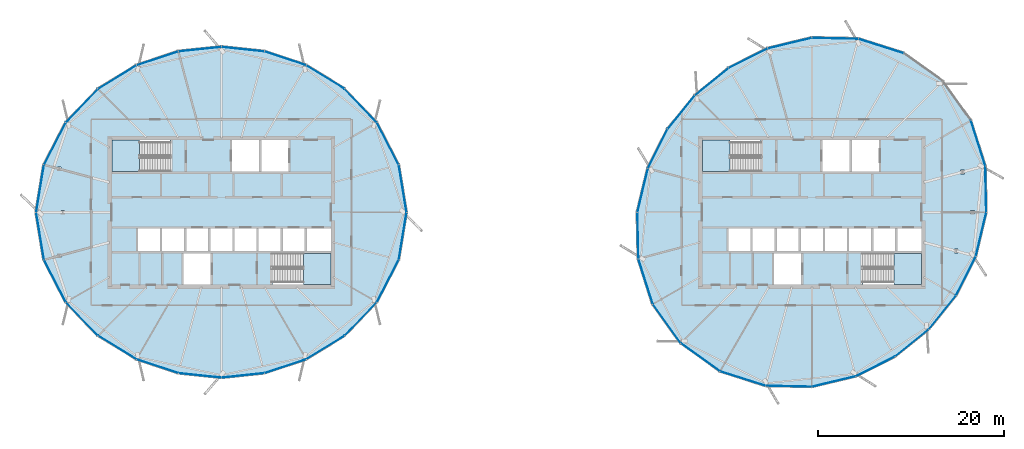
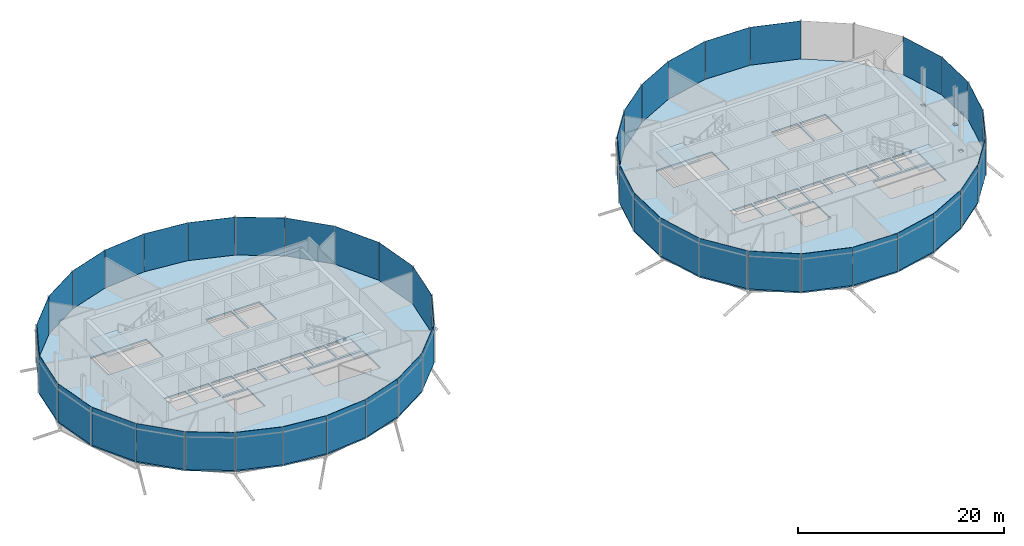
# One storey, part 14 of 31: 46 plates, 6 slabs, 6 elements without a shape of their own.
"""IFC4 building model written with IfcOpenShell, lengths in metres."""

from ifc_helpers import new_model, si_unit, direction, frame, origin, origin_2d, place, context, subcontext, project, spatial, polyline, rectangle, outline, extrude, material, layer, layer_set, type_object, element, aggregate, save


model = new_model("IFC4")

# Units and contexts
model_context = context("Model", 3, precision=1e-05, world=origin(), true_north=direction((0.0, 1.0)))
body_context = subcontext(model_context, "Body", "Model", "MODEL_VIEW")
ifc_project = project(units=[si_unit("LENGTHUNIT", "METRE"), si_unit("AREAUNIT", "SQUARE_METRE"), si_unit("VOLUMEUNIT", "CUBIC_METRE"), si_unit("PLANEANGLEUNIT", "RADIAN"), si_unit("MASSUNIT", "GRAM", prefix="KILO")], contexts=[model_context])

# Site, building, storey
site_placement = place(None, origin())
site = spatial("IfcSite", under=ifc_project, at=site_placement, CompositionType="ELEMENT")
building_placement = place(site_placement, origin())
building = spatial("IfcBuilding", under=site, at=building_placement, Name="Rimbun Link Towers", CompositionType="ELEMENT")
storey_placement = place(building_placement, frame((0.0, 0.0, 263.10009765625)))
storey = spatial("IfcBuildingStorey", under=building, at=storey_placement, Name="L64", CompositionType="ELEMENT", Elevation=263.10009765625)

# Slabs
ifc_material_1 = material(Name="Concrete C35/45", Category="concrete")
ifc_layer_1 = layer(ifc_material_1, 0.179931640625)
ifc_layer_set_1 = layer_set([ifc_layer_1], Name="COMPOSITE FLOOR 180")
slab_type_1 = type_object("IfcSlabType", Name="COMPOSITE FLOOR 180", PredefinedType="FLOOR", material=ifc_layer_set_1)
slab_1_placement = place(storey_placement, frame((0.0, 0.0, -0.18017578125)))
element("IfcSlab", 1, at=slab_1_placement, inside=storey, type_object=slab_type_1, Name="Floor slab T1 L64", PredefinedType="FLOOR", context=body_context, shape_type="SweptSolid", body=[
    extrude(outline(polyline([(-12.693603515625, -5.106201171875), (-15.04248046875, -9.64599609375), (-18.498779296875, -13.251220703125), (-22.6337890625, -15.789794921875), (-27.12060546875, -17.27685546875), (-31.75, -17.764404296875), (-36.37939453125, -17.27685546875), (-40.8662109375, -15.789794921875), (-45.001220703125, -13.251220703125), (-48.45751953125, -9.64599609375), (-50.806396484375, -5.106201171875), (-51.64599609375, 0.0), (-50.806396484375, 5.106201171875), (-48.45751953125, 9.64599609375), (-45.001220703125, 13.251220703125), (-40.8662109375, 15.789794921875), (-36.37939453125, 17.27685546875), (-31.75, 17.764404296875), (-27.12060546875, 17.27685546875), (-22.6337890625, 15.789794921875), (-18.498779296875, 13.251220703125), (-15.04248046875, 9.64599609375), (-12.693603515625, 5.106201171875), (-11.85400390625, 0.0), (-12.693603515625, -5.106201171875)]), holes=[polyline([(-32.89990234375, -7.77490234375), (-32.89990234375, -4.39990234375), (-35.800048828125, -4.39990234375), (-35.800048828125, -7.77490234375), (-32.89990234375, -7.77490234375)]), polyline([(-48.99853515625, -4.8720703125), (-48.99853515625, -4.478515625), (-49.397705078125, -4.478515625), (-49.397705078125, -4.8720703125), (-48.99853515625, -4.8720703125)]), polyline([(-38.361083984375, -4.14990234375), (-38.361083984375, -1.75), (-40.70556640625, -1.75), (-40.70556640625, -4.14990234375), (-38.361083984375, -4.14990234375)]), polyline([(-35.7666015625, -4.14990234375), (-35.7666015625, -1.75), (-38.111083984375, -1.75), (-38.111083984375, -4.14990234375), (-35.7666015625, -4.14990234375)]), polyline([(-33.172119140625, -4.14990234375), (-33.172119140625, -1.75), (-35.5166015625, -1.75), (-35.5166015625, -4.14990234375), (-33.172119140625, -4.14990234375)]), polyline([(-48.619140625, -0.19677734375), (-48.619140625, 0.19677734375), (-49.01806640625, 0.19677734375), (-49.01806640625, -0.19677734375), (-48.619140625, -0.19677734375)]), polyline([(-48.99853515625, 4.478515625), (-48.99853515625, 4.8720703125), (-49.397705078125, 4.8720703125), (-49.397705078125, 4.478515625), (-48.99853515625, 4.478515625)]), polyline([(-37.260009765625, 4.39990234375), (-37.260009765625, 7.77490234375), (-43.52490234375, 7.77490234375), (-43.52490234375, 4.39990234375), (-37.260009765625, 4.39990234375)]), polyline([(-19.97509765625, -7.77490234375), (-19.97509765625, -4.39990234375), (-26.239990234375, -4.39990234375), (-26.239990234375, -7.77490234375), (-19.97509765625, -7.77490234375)]), polyline([(-30.577880859375, -4.14990234375), (-30.577880859375, -1.75), (-32.922119140625, -1.75), (-32.922119140625, -4.14990234375), (-30.577880859375, -4.14990234375)]), polyline([(-27.9833984375, -4.14990234375), (-27.9833984375, -1.75), (-30.327880859375, -1.75), (-30.327880859375, -4.14990234375), (-27.9833984375, -4.14990234375)]), polyline([(-25.388916015625, -4.14990234375), (-25.388916015625, -1.75), (-27.7333984375, -1.75), (-27.7333984375, -4.14990234375), (-25.388916015625, -4.14990234375)]), polyline([(-22.79443359375, -4.14990234375), (-22.79443359375, -1.75), (-25.138916015625, -1.75), (-25.138916015625, -4.14990234375), (-22.79443359375, -4.14990234375)]), polyline([(-19.97509765625, -4.14990234375), (-19.97509765625, -1.75), (-22.54443359375, -1.75), (-22.54443359375, -4.14990234375), (-19.97509765625, -4.14990234375)]), polyline([(-27.699951171875, 4.39990234375), (-27.699951171875, 7.77490234375), (-30.60009765625, 7.77490234375), (-30.60009765625, 4.39990234375), (-27.699951171875, 4.39990234375)]), polyline([(-24.550048828125, 4.39990234375), (-24.550048828125, 7.77490234375), (-27.449951171875, 7.77490234375), (-27.449951171875, 4.39990234375), (-24.550048828125, 4.39990234375)])]), origin(), (0.0, 0.0, 1.0), 0.18017578125),
])
slab_2_placement = place(storey_placement, frame((0.0, 0.0, -0.18017578125)))
element("IfcSlab", 2, at=slab_2_placement, inside=storey, type_object=slab_type_1, Name="Floor slab T2 L64", PredefinedType="FLOOR", context=body_context, shape_type="SweptSolid", body=[
    extrude(outline(polyline([(48.83544921875, 9.8642578125), (50.384765625, 4.9931640625), (50.489990234375, 0.0), (49.361328125, -4.718994140625), (47.239990234375, -8.943115234375), (44.311279296875, -12.561279296875), (40.693115234375, -15.489990234375), (36.468994140625, -17.611328125), (31.75, -18.739990234375), (26.7568359375, -18.634765625), (21.8857421875, -17.08544921875), (17.681396484375, -14.068603515625), (14.66455078125, -9.8642578125), (13.115234375, -4.9931640625), (13.010009765625, 0.0), (14.138671875, 4.718994140625), (16.260009765625, 8.943115234375), (19.188720703125, 12.561279296875), (22.806884765625, 15.489990234375), (27.031005859375, 17.611328125), (31.75, 18.739990234375), (36.7431640625, 18.634765625), (41.6142578125, 17.08544921875), (45.818603515625, 14.068603515625), (48.83544921875, 9.8642578125)]), holes=[polyline([(30.60009765625, -7.77490234375), (30.60009765625, -4.39990234375), (27.699951171875, -4.39990234375), (27.699951171875, -7.77490234375), (30.60009765625, -7.77490234375)]), polyline([(25.138916015625, -4.14990234375), (25.138916015625, -1.75), (22.79443359375, -1.75), (22.79443359375, -4.14990234375), (25.138916015625, -4.14990234375)]), polyline([(27.7333984375, -4.14990234375), (27.7333984375, -1.75), (25.388916015625, -1.75), (25.388916015625, -4.14990234375), (27.7333984375, -4.14990234375)]), polyline([(30.327880859375, -4.14990234375), (30.327880859375, -1.75), (27.9833984375, -1.75), (27.9833984375, -4.14990234375), (30.327880859375, -4.14990234375)]), polyline([(32.922119140625, -4.14990234375), (32.922119140625, -1.75), (30.577880859375, -1.75), (30.577880859375, -4.14990234375), (32.922119140625, -4.14990234375)]), polyline([(35.5166015625, -4.14990234375), (35.5166015625, -1.75), (33.172119140625, -1.75), (33.172119140625, -4.14990234375), (35.5166015625, -4.14990234375)]), polyline([(26.239990234375, 4.39990234375), (26.239990234375, 7.77490234375), (19.97509765625, 7.77490234375), (19.97509765625, 4.39990234375), (26.239990234375, 4.39990234375)]), polyline([(35.800048828125, 4.39990234375), (35.800048828125, 7.77490234375), (32.89990234375, 7.77490234375), (32.89990234375, 4.39990234375), (35.800048828125, 4.39990234375)]), polyline([(43.52490234375, -7.77490234375), (43.52490234375, -4.39990234375), (37.260009765625, -4.39990234375), (37.260009765625, -7.77490234375), (43.52490234375, -7.77490234375)]), polyline([(47.47021484375, -4.355712890625), (47.47021484375, -3.9619140625), (47.0712890625, -3.9619140625), (47.0712890625, -4.355712890625), (47.47021484375, -4.355712890625)]), polyline([(38.111083984375, -4.14990234375), (38.111083984375, -1.75), (35.7666015625, -1.75), (35.7666015625, -4.14990234375), (38.111083984375, -4.14990234375)]), polyline([(40.70556640625, -4.14990234375), (40.70556640625, -1.75), (38.361083984375, -1.75), (38.361083984375, -4.14990234375), (40.70556640625, -4.14990234375)]), polyline([(43.52490234375, -4.14990234375), (43.52490234375, -1.75), (40.95556640625, -1.75), (40.95556640625, -4.14990234375), (43.52490234375, -4.14990234375)]), polyline([(49.221923828125, -0.19677734375), (49.221923828125, 0.19677734375), (48.822998046875, 0.19677734375), (48.822998046875, -0.19677734375), (49.221923828125, -0.19677734375)]), polyline([(48.1474609375, 4.143310546875), (48.1474609375, 4.537109375), (47.748291015625, 4.537109375), (47.748291015625, 4.143310546875), (48.1474609375, 4.143310546875)]), polyline([(38.949951171875, 4.39990234375), (38.949951171875, 7.77490234375), (36.050048828125, 7.77490234375), (36.050048828125, 4.39990234375), (38.949951171875, 4.39990234375)])]), origin(), (0.0, 0.0, 1.0), 0.18017578125),
])

# Curtain wall, plates
ifc_material_2 = material(Name="Aluminium 6063-T6 and low-iron glass", Category="aluminium")
curtain_wall_type = type_object("IfcCurtainWallType", Name="CW5 full height lobby wall", PredefinedType="NOTDEFINED", material=ifc_material_2)
curtain_wall_1_placement = place(storey_placement, origin())
curtain_wall_1 = element("IfcCurtainWall", 3, at=curtain_wall_1_placement, inside=storey, type_object=curtain_wall_type, Name="CW5 L64 T1", PredefinedType="NOTDEFINED")
ifc_material_3 = material(Name="Low-iron glass, laminated low-e unit", Category="glass")
ifc_layer_2 = layer(ifc_material_3, 0.031982421875)
ifc_layer_set_2 = layer_set([ifc_layer_2], Name="CW5 panel Low-iron glass 32")
plate_type = type_object("IfcPlateType", Name="CW5 panel Low-iron glass 32", PredefinedType="CURTAIN_PANEL", material=ifc_layer_set_2)
plate_1_placement = place(storey_placement, frame((-12.258056640625, 2.5556640625, 0.0), z_axis=(0.0, 0.0, 1.0), x_axis=(0.162248871928, -0.986749868791, 0.0)))
plate_1 = element("IfcPlate", 4, at=plate_1_placement, type_object=plate_type, Name="CW5 panel", PredefinedType="CURTAIN_PANEL", context=body_context, shape_type="SweptSolid", body=[
    extrude(rectangle(XDim=5.134765625, YDim=0.031982421875, at=origin_2d()), origin(), (0.0, 0.0, 1.0), 4.5),
])
plate_2_placement = place(storey_placement, frame((-13.85400390625, 7.383544921875, 0.0), z_axis=(0.0, 0.0, 1.0), x_axis=(0.459550646917, -0.888151565285, 0.0)))
plate_2 = element("IfcPlate", 5, at=plate_2_placement, type_object=plate_type, Name="CW5 panel", PredefinedType="CURTAIN_PANEL", context=body_context, shape_type="SweptSolid", body=[
    extrude(rectangle(XDim=5.071533203125, YDim=0.031982421875, at=origin_2d()), origin(), (0.0, 0.0, 1.0), 4.5),
])
plate_3_placement = place(storey_placement, frame((-16.75927734375, 11.459716796875, 0.0), z_axis=(0.0, 0.0, 1.0), x_axis=(0.692052775613, -0.721846906045, 0.0)))
plate_3 = element("IfcPlate", 6, at=plate_3_placement, type_object=plate_type, Name="CW5 panel", PredefinedType="CURTAIN_PANEL", context=body_context, shape_type="SweptSolid", body=[
    extrude(rectangle(XDim=4.954345703125, YDim=0.031982421875, at=origin_2d()), origin(), (0.0, 0.0, 1.0), 4.5),
])
plate_4_placement = place(storey_placement, frame((-20.557861328125, 14.5341796875, 0.0), z_axis=(0.0, 0.0, 1.0), x_axis=(0.85218154436, -0.523246228321, 0.0)))
plate_4 = element("IfcPlate", 7, at=plate_4_placement, type_object=plate_type, Name="CW5 panel", PredefinedType="CURTAIN_PANEL", context=body_context, shape_type="SweptSolid", body=[
    extrude(rectangle(XDim=4.81201171875, YDim=0.031982421875, at=origin_2d()), origin(), (0.0, 0.0, 1.0), 4.5),
])
plate_5_placement = place(storey_placement, frame((-24.8720703125, 16.548583984375, 0.0), z_axis=(0.0, 0.0, 1.0), x_axis=(0.949238213997, -0.314558123546, 0.0)))
plate_5 = element("IfcPlate", 8, at=plate_5_placement, type_object=plate_type, Name="CW5 panel", PredefinedType="CURTAIN_PANEL", context=body_context, shape_type="SweptSolid", body=[
    extrude(rectangle(XDim=4.68701171875, YDim=0.031982421875, at=origin_2d()), origin(), (0.0, 0.0, 1.0), 4.5),
])
plate_6_placement = place(storey_placement, frame((-29.43359375, 17.536376953125, 0.0), z_axis=(0.0, 0.0, 1.0), x_axis=(0.994500861131, -0.104728397345, 0.0)))
plate_6 = element("IfcPlate", 9, at=plate_6_placement, type_object=plate_type, Name="CW5 panel", PredefinedType="CURTAIN_PANEL", context=body_context, shape_type="SweptSolid", body=[
    extrude(rectangle(XDim=4.614990234375, YDim=0.031982421875, at=origin_2d()), origin(), (0.0, 0.0, 1.0), 4.5),
])
plate_7_placement = place(storey_placement, frame((-34.06640625, 17.536376953125, 0.0), z_axis=(0.0, 0.0, 1.0), x_axis=(0.994500861131, 0.104728397345, 0.0)))
plate_7 = element("IfcPlate", 10, at=plate_7_placement, type_object=plate_type, Name="CW5 panel", PredefinedType="CURTAIN_PANEL", context=body_context, shape_type="SweptSolid", body=[
    extrude(rectangle(XDim=4.614990234375, YDim=0.031982421875, at=origin_2d()), origin(), (0.0, 0.0, 1.0), 4.5),
])
plate_8_placement = place(storey_placement, frame((-38.6279296875, 16.548583984375, 0.0), z_axis=(0.0, 0.0, 1.0), x_axis=(0.949238213997, 0.314558123546, 0.0)))
plate_8 = element("IfcPlate", 11, at=plate_8_placement, type_object=plate_type, Name="CW5 panel", PredefinedType="CURTAIN_PANEL", context=body_context, shape_type="SweptSolid", body=[
    extrude(rectangle(XDim=4.68701171875, YDim=0.031982421875, at=origin_2d()), origin(), (0.0, 0.0, 1.0), 4.5),
])
plate_9_placement = place(storey_placement, frame((-42.942138671875, 14.5341796875, 0.0), z_axis=(0.0, 0.0, 1.0), x_axis=(0.85218154436, 0.523246228321, 0.0)))
plate_9 = element("IfcPlate", 12, at=plate_9_placement, type_object=plate_type, Name="CW5 panel", PredefinedType="CURTAIN_PANEL", context=body_context, shape_type="SweptSolid", body=[
    extrude(rectangle(XDim=4.81201171875, YDim=0.031982421875, at=origin_2d()), origin(), (0.0, 0.0, 1.0), 4.5),
])
plate_10_placement = place(storey_placement, frame((-46.74072265625, 11.459716796875, 0.0), z_axis=(0.0, 0.0, 1.0), x_axis=(0.692052775613, 0.721846906045, 0.0)))
plate_10 = element("IfcPlate", 13, at=plate_10_placement, type_object=plate_type, Name="CW5 panel", PredefinedType="CURTAIN_PANEL", context=body_context, shape_type="SweptSolid", body=[
    extrude(rectangle(XDim=4.954345703125, YDim=0.031982421875, at=origin_2d()), origin(), (0.0, 0.0, 1.0), 4.5),
])
plate_11_placement = place(storey_placement, frame((-49.64599609375, 7.383544921875, 0.0), z_axis=(0.0, 0.0, 1.0), x_axis=(0.459550646917, 0.888151565285, 0.0)))
plate_11 = element("IfcPlate", 14, at=plate_11_placement, type_object=plate_type, Name="CW5 panel", PredefinedType="CURTAIN_PANEL", context=body_context, shape_type="SweptSolid", body=[
    extrude(rectangle(XDim=5.071533203125, YDim=0.031982421875, at=origin_2d()), origin(), (0.0, 0.0, 1.0), 4.5),
])
plate_12_placement = place(storey_placement, frame((-51.241943359375, 2.5556640625, 0.0), z_axis=(0.0, 0.0, 1.0), x_axis=(0.162248871928, 0.986749868791, 0.0)))
plate_12 = element("IfcPlate", 15, at=plate_12_placement, type_object=plate_type, Name="CW5 panel", PredefinedType="CURTAIN_PANEL", context=body_context, shape_type="SweptSolid", body=[
    extrude(rectangle(XDim=5.134765625, YDim=0.031982421875, at=origin_2d()), origin(), (0.0, 0.0, 1.0), 4.5),
])
plate_13_placement = place(storey_placement, frame((-51.241943359375, -2.5556640625, 0.0), z_axis=(0.0, 0.0, 1.0), x_axis=(-0.162248871928, 0.986749868791, 0.0)))
plate_13 = element("IfcPlate", 16, at=plate_13_placement, type_object=plate_type, Name="CW5 panel", PredefinedType="CURTAIN_PANEL", context=body_context, shape_type="SweptSolid", body=[
    extrude(rectangle(XDim=5.134765625, YDim=0.031982421875, at=origin_2d()), origin(), (0.0, 0.0, 1.0), 4.5),
])
plate_14_placement = place(storey_placement, frame((-49.64599609375, -7.383544921875, 0.0), z_axis=(0.0, 0.0, 1.0), x_axis=(-0.459550646917, 0.888151565285, 0.0)))
plate_14 = element("IfcPlate", 17, at=plate_14_placement, type_object=plate_type, Name="CW5 panel", PredefinedType="CURTAIN_PANEL", context=body_context, shape_type="SweptSolid", body=[
    extrude(rectangle(XDim=5.071533203125, YDim=0.031982421875, at=origin_2d()), origin(), (0.0, 0.0, 1.0), 4.5),
])
plate_15_placement = place(storey_placement, frame((-46.74072265625, -11.459716796875, 0.0), z_axis=(0.0, 0.0, 1.0), x_axis=(-0.692052775613, 0.721846906045, 0.0)))
plate_15 = element("IfcPlate", 18, at=plate_15_placement, type_object=plate_type, Name="CW5 panel", PredefinedType="CURTAIN_PANEL", context=body_context, shape_type="SweptSolid", body=[
    extrude(rectangle(XDim=4.954345703125, YDim=0.031982421875, at=origin_2d()), origin(), (0.0, 0.0, 1.0), 4.5),
])
plate_16_placement = place(storey_placement, frame((-42.942138671875, -14.5341796875, 0.0), z_axis=(0.0, 0.0, 1.0), x_axis=(-0.85218154436, 0.523246228321, 0.0)))
plate_16 = element("IfcPlate", 19, at=plate_16_placement, type_object=plate_type, Name="CW5 panel", PredefinedType="CURTAIN_PANEL", context=body_context, shape_type="SweptSolid", body=[
    extrude(rectangle(XDim=4.81201171875, YDim=0.031982421875, at=origin_2d()), origin(), (0.0, 0.0, 1.0), 4.5),
])
plate_17_placement = place(storey_placement, frame((-38.6279296875, -16.548583984375, 0.0), z_axis=(0.0, 0.0, 1.0), x_axis=(-0.949238213997, 0.314558123546, 0.0)))
plate_17 = element("IfcPlate", 20, at=plate_17_placement, type_object=plate_type, Name="CW5 panel", PredefinedType="CURTAIN_PANEL", context=body_context, shape_type="SweptSolid", body=[
    extrude(rectangle(XDim=4.68701171875, YDim=0.031982421875, at=origin_2d()), origin(), (0.0, 0.0, 1.0), 4.5),
])
plate_18_placement = place(storey_placement, frame((-34.06640625, -17.536376953125, 0.0), z_axis=(0.0, 0.0, 1.0), x_axis=(-0.994500861131, 0.104728397345, 0.0)))
plate_18 = element("IfcPlate", 21, at=plate_18_placement, type_object=plate_type, Name="CW5 panel", PredefinedType="CURTAIN_PANEL", context=body_context, shape_type="SweptSolid", body=[
    extrude(rectangle(XDim=4.614990234375, YDim=0.031982421875, at=origin_2d()), origin(), (0.0, 0.0, 1.0), 4.5),
])
plate_19_placement = place(storey_placement, frame((-29.43359375, -17.536376953125, 0.0), z_axis=(0.0, 0.0, 1.0), x_axis=(-0.994500861131, -0.104728397345, 0.0)))
plate_19 = element("IfcPlate", 22, at=plate_19_placement, type_object=plate_type, Name="CW5 panel", PredefinedType="CURTAIN_PANEL", context=body_context, shape_type="SweptSolid", body=[
    extrude(rectangle(XDim=4.614990234375, YDim=0.031982421875, at=origin_2d()), origin(), (0.0, 0.0, 1.0), 4.5),
])
plate_20_placement = place(storey_placement, frame((-24.8720703125, -16.548583984375, 0.0), z_axis=(0.0, 0.0, 1.0), x_axis=(-0.949238213997, -0.314558123546, 0.0)))
plate_20 = element("IfcPlate", 23, at=plate_20_placement, type_object=plate_type, Name="CW5 panel", PredefinedType="CURTAIN_PANEL", context=body_context, shape_type="SweptSolid", body=[
    extrude(rectangle(XDim=4.68701171875, YDim=0.031982421875, at=origin_2d()), origin(), (0.0, 0.0, 1.0), 4.5),
])
plate_21_placement = place(storey_placement, frame((-20.557861328125, -14.5341796875, 0.0), z_axis=(0.0, 0.0, 1.0), x_axis=(-0.85218154436, -0.523246228321, 0.0)))
plate_21 = element("IfcPlate", 24, at=plate_21_placement, type_object=plate_type, Name="CW5 panel", PredefinedType="CURTAIN_PANEL", context=body_context, shape_type="SweptSolid", body=[
    extrude(rectangle(XDim=4.81201171875, YDim=0.031982421875, at=origin_2d()), origin(), (0.0, 0.0, 1.0), 4.5),
])
plate_22_placement = place(storey_placement, frame((-16.75927734375, -11.459716796875, 0.0), z_axis=(0.0, 0.0, 1.0), x_axis=(-0.692052775613, -0.721846906045, 0.0)))
plate_22 = element("IfcPlate", 25, at=plate_22_placement, type_object=plate_type, Name="CW5 panel", PredefinedType="CURTAIN_PANEL", context=body_context, shape_type="SweptSolid", body=[
    extrude(rectangle(XDim=4.954345703125, YDim=0.031982421875, at=origin_2d()), origin(), (0.0, 0.0, 1.0), 4.5),
])
plate_23_placement = place(storey_placement, frame((-13.85400390625, -7.383544921875, 0.0), z_axis=(0.0, 0.0, 1.0), x_axis=(-0.459550646917, -0.888151565285, 0.0)))
plate_23 = element("IfcPlate", 26, at=plate_23_placement, type_object=plate_type, Name="CW5 panel", PredefinedType="CURTAIN_PANEL", context=body_context, shape_type="SweptSolid", body=[
    extrude(rectangle(XDim=5.071533203125, YDim=0.031982421875, at=origin_2d()), origin(), (0.0, 0.0, 1.0), 4.5),
])
plate_24_placement = place(storey_placement, frame((-12.258056640625, -2.5556640625, 0.0), z_axis=(0.0, 0.0, 1.0), x_axis=(-0.162248871928, -0.986749868791, 0.0)))
plate_24 = element("IfcPlate", 27, at=plate_24_placement, type_object=plate_type, Name="CW5 panel", PredefinedType="CURTAIN_PANEL", context=body_context, shape_type="SweptSolid", body=[
    extrude(rectangle(XDim=5.134765625, YDim=0.031982421875, at=origin_2d()), origin(), (0.0, 0.0, 1.0), 4.5),
])
aggregate(curtain_wall_1, [plate_1, plate_2, plate_3, plate_4, plate_5, plate_6, plate_7, plate_8, plate_9, plate_10, plate_11, plate_12, plate_13, plate_14, plate_15, plate_16, plate_17, plate_18, plate_19, plate_20, plate_21, plate_22, plate_23, plate_24])

curtain_wall_2_placement = place(storey_placement, origin())
curtain_wall_2 = element("IfcCurtainWall", 28, at=curtain_wall_2_placement, inside=storey, type_object=curtain_wall_type, Name="CW5 L64 T2", PredefinedType="NOTDEFINED")
plate_25_placement = place(storey_placement, frame((39.18359375, 17.875244140625, 0.0), z_axis=(0.0, 0.0, 1.0), x_axis=(0.952966879851, -0.303074456046, 0.0)))
plate_25 = element("IfcPlate", 29, at=plate_25_placement, type_object=plate_type, Name="CW5 panel", PredefinedType="CURTAIN_PANEL", context=body_context, shape_type="SweptSolid", body=[
    extrude(rectangle(XDim=5.071533203125, YDim=0.031982421875, at=origin_2d()), origin(), (0.0, 0.0, 1.0), 4.5),
])
plate_26_placement = place(storey_placement, frame((34.246826171875, 18.703369140625, 0.0), z_axis=(0.0, 0.0, 1.0), x_axis=(0.9997781209, -0.021064400542, 0.0)))
plate_26 = element("IfcPlate", 30, at=plate_26_placement, type_object=plate_type, Name="CW5 panel", PredefinedType="CURTAIN_PANEL", context=body_context, shape_type="SweptSolid", body=[
    extrude(rectangle(XDim=4.9541015625, YDim=0.031982421875, at=origin_2d()), origin(), (0.0, 0.0, 1.0), 4.5),
])
plate_27_placement = place(storey_placement, frame((29.38671875, 18.191162109375, 0.0), z_axis=(0.0, 0.0, 1.0), x_axis=(0.972571087452, 0.232605846557, 0.0)))
plate_27 = element("IfcPlate", 31, at=plate_27_placement, type_object=plate_type, Name="CW5 panel", PredefinedType="CURTAIN_PANEL", context=body_context, shape_type="SweptSolid", body=[
    extrude(rectangle(XDim=4.81201171875, YDim=0.031982421875, at=origin_2d()), origin(), (0.0, 0.0, 1.0), 4.5),
])
plate_28_placement = place(storey_placement, frame((24.911865234375, 16.56494140625, 0.0), z_axis=(0.0, 0.0, 1.0), x_axis=(0.893638831927, 0.448786851491, 0.0)))
plate_28 = element("IfcPlate", 32, at=plate_28_placement, type_object=plate_type, Name="CW5 panel", PredefinedType="CURTAIN_PANEL", context=body_context, shape_type="SweptSolid", body=[
    extrude(rectangle(XDim=4.68701171875, YDim=0.031982421875, at=origin_2d()), origin(), (0.0, 0.0, 1.0), 4.5),
])
plate_29_placement = place(storey_placement, frame((20.98779296875, 14.0380859375, 0.0), z_axis=(0.0, 0.0, 1.0), x_axis=(0.777288893726, 0.629143843402, 0.0)))
plate_29 = element("IfcPlate", 33, at=plate_29_placement, type_object=plate_type, Name="CW5 panel", PredefinedType="CURTAIN_PANEL", context=body_context, shape_type="SweptSolid", body=[
    extrude(rectangle(XDim=4.614990234375, YDim=0.031982421875, at=origin_2d()), origin(), (0.0, 0.0, 1.0), 4.5),
])
plate_30_placement = place(storey_placement, frame((17.7119140625, 10.76220703125, 0.0), z_axis=(0.0, 0.0, 1.0), x_axis=(0.629143843402, 0.777288893726, 0.0)))
plate_30 = element("IfcPlate", 34, at=plate_30_placement, type_object=plate_type, Name="CW5 panel", PredefinedType="CURTAIN_PANEL", context=body_context, shape_type="SweptSolid", body=[
    extrude(rectangle(XDim=4.614990234375, YDim=0.031982421875, at=origin_2d()), origin(), (0.0, 0.0, 1.0), 4.5),
])
plate_31_placement = place(storey_placement, frame((15.18505859375, 6.838134765625, 0.0), z_axis=(0.0, 0.0, 1.0), x_axis=(0.448786851491, 0.893638831927, 0.0)))
plate_31 = element("IfcPlate", 35, at=plate_31_placement, type_object=plate_type, Name="CW5 panel", PredefinedType="CURTAIN_PANEL", context=body_context, shape_type="SweptSolid", body=[
    extrude(rectangle(XDim=4.68701171875, YDim=0.031982421875, at=origin_2d()), origin(), (0.0, 0.0, 1.0), 4.5),
])
plate_32_placement = place(storey_placement, frame((13.558837890625, 2.36328125, 0.0), z_axis=(0.0, 0.0, 1.0), x_axis=(0.232605846557, 0.972571087452, 0.0)))
plate_32 = element("IfcPlate", 36, at=plate_32_placement, type_object=plate_type, Name="CW5 panel", PredefinedType="CURTAIN_PANEL", context=body_context, shape_type="SweptSolid", body=[
    extrude(rectangle(XDim=4.81201171875, YDim=0.031982421875, at=origin_2d()), origin(), (0.0, 0.0, 1.0), 4.5),
])
plate_33_placement = place(storey_placement, frame((13.046630859375, -2.496826171875, 0.0), z_axis=(0.0, 0.0, 1.0), x_axis=(-0.021064400542, 0.9997781209, 0.0)))
plate_33 = element("IfcPlate", 37, at=plate_33_placement, type_object=plate_type, Name="CW5 panel", PredefinedType="CURTAIN_PANEL", context=body_context, shape_type="SweptSolid", body=[
    extrude(rectangle(XDim=4.9541015625, YDim=0.031982421875, at=origin_2d()), origin(), (0.0, 0.0, 1.0), 4.5),
])
plate_34_placement = place(storey_placement, frame((13.874755859375, -7.43359375, 0.0), z_axis=(0.0, 0.0, 1.0), x_axis=(-0.303074456046, 0.952966879851, 0.0)))
plate_34 = element("IfcPlate", 38, at=plate_34_placement, type_object=plate_type, Name="CW5 panel", PredefinedType="CURTAIN_PANEL", context=body_context, shape_type="SweptSolid", body=[
    extrude(rectangle(XDim=5.071533203125, YDim=0.031982421875, at=origin_2d()), origin(), (0.0, 0.0, 1.0), 4.5),
])
plate_35_placement = place(storey_placement, frame((16.159912109375, -11.975830078125, 0.0), z_axis=(0.0, 0.0, 1.0), x_axis=(-0.583006333586, 0.812467608584, 0.0)))
plate_35 = element("IfcPlate", 39, at=plate_35_placement, type_object=plate_type, Name="CW5 panel", PredefinedType="CURTAIN_PANEL", context=body_context, shape_type="SweptSolid", body=[
    extrude(rectangle(XDim=5.134765625, YDim=0.031982421875, at=origin_2d()), origin(), (0.0, 0.0, 1.0), 4.5),
])
plate_36_placement = place(storey_placement, frame((19.774169921875, -15.590087890625, 0.0), z_axis=(0.0, 0.0, 1.0), x_axis=(-0.812467608584, 0.583006333586, 0.0)))
plate_36 = element("IfcPlate", 40, at=plate_36_placement, type_object=plate_type, Name="CW5 panel", PredefinedType="CURTAIN_PANEL", context=body_context, shape_type="SweptSolid", body=[
    extrude(rectangle(XDim=5.134765625, YDim=0.031982421875, at=origin_2d()), origin(), (0.0, 0.0, 1.0), 4.5),
])
plate_37_placement = place(storey_placement, frame((24.31640625, -17.875244140625, 0.0), z_axis=(0.0, 0.0, 1.0), x_axis=(-0.952966879851, 0.303074456046, 0.0)))
plate_37 = element("IfcPlate", 41, at=plate_37_placement, type_object=plate_type, Name="CW5 panel", PredefinedType="CURTAIN_PANEL", context=body_context, shape_type="SweptSolid", body=[
    extrude(rectangle(XDim=5.071533203125, YDim=0.031982421875, at=origin_2d()), origin(), (0.0, 0.0, 1.0), 4.5),
])
plate_38_placement = place(storey_placement, frame((29.253173828125, -18.703369140625, 0.0), z_axis=(0.0, 0.0, 1.0), x_axis=(-0.9997781209, 0.021064400542, 0.0)))
plate_38 = element("IfcPlate", 42, at=plate_38_placement, type_object=plate_type, Name="CW5 panel", PredefinedType="CURTAIN_PANEL", context=body_context, shape_type="SweptSolid", body=[
    extrude(rectangle(XDim=4.9541015625, YDim=0.031982421875, at=origin_2d()), origin(), (0.0, 0.0, 1.0), 4.5),
])
plate_39_placement = place(storey_placement, frame((34.11328125, -18.191162109375, 0.0), z_axis=(0.0, 0.0, 1.0), x_axis=(-0.972571087452, -0.232605846557, 0.0)))
plate_39 = element("IfcPlate", 43, at=plate_39_placement, type_object=plate_type, Name="CW5 panel", PredefinedType="CURTAIN_PANEL", context=body_context, shape_type="SweptSolid", body=[
    extrude(rectangle(XDim=4.81201171875, YDim=0.031982421875, at=origin_2d()), origin(), (0.0, 0.0, 1.0), 4.5),
])
plate_40_placement = place(storey_placement, frame((38.588134765625, -16.56494140625, 0.0), z_axis=(0.0, 0.0, 1.0), x_axis=(-0.893638831927, -0.448786851491, 0.0)))
plate_40 = element("IfcPlate", 44, at=plate_40_placement, type_object=plate_type, Name="CW5 panel", PredefinedType="CURTAIN_PANEL", context=body_context, shape_type="SweptSolid", body=[
    extrude(rectangle(XDim=4.68701171875, YDim=0.031982421875, at=origin_2d()), origin(), (0.0, 0.0, 1.0), 4.5),
])
plate_41_placement = place(storey_placement, frame((42.51220703125, -14.0380859375, 0.0), z_axis=(0.0, 0.0, 1.0), x_axis=(-0.777288893726, -0.629143843402, 0.0)))
plate_41 = element("IfcPlate", 45, at=plate_41_placement, type_object=plate_type, Name="CW5 panel", PredefinedType="CURTAIN_PANEL", context=body_context, shape_type="SweptSolid", body=[
    extrude(rectangle(XDim=4.614990234375, YDim=0.031982421875, at=origin_2d()), origin(), (0.0, 0.0, 1.0), 4.5),
])
plate_42_placement = place(storey_placement, frame((45.7880859375, -10.76220703125, 0.0), z_axis=(0.0, 0.0, 1.0), x_axis=(-0.629143843402, -0.777288893726, 0.0)))
plate_42 = element("IfcPlate", 46, at=plate_42_placement, type_object=plate_type, Name="CW5 panel", PredefinedType="CURTAIN_PANEL", context=body_context, shape_type="SweptSolid", body=[
    extrude(rectangle(XDim=4.614990234375, YDim=0.031982421875, at=origin_2d()), origin(), (0.0, 0.0, 1.0), 4.5),
])
plate_43_placement = place(storey_placement, frame((48.31494140625, -6.838134765625, 0.0), z_axis=(0.0, 0.0, 1.0), x_axis=(-0.448786851491, -0.893638831927, 0.0)))
plate_43 = element("IfcPlate", 47, at=plate_43_placement, type_object=plate_type, Name="CW5 panel", PredefinedType="CURTAIN_PANEL", context=body_context, shape_type="SweptSolid", body=[
    extrude(rectangle(XDim=4.68701171875, YDim=0.031982421875, at=origin_2d()), origin(), (0.0, 0.0, 1.0), 4.5),
])
plate_44_placement = place(storey_placement, frame((49.941162109375, -2.36328125, 0.0), z_axis=(0.0, 0.0, 1.0), x_axis=(-0.232605846557, -0.972571087452, 0.0)))
plate_44 = element("IfcPlate", 48, at=plate_44_placement, type_object=plate_type, Name="CW5 panel", PredefinedType="CURTAIN_PANEL", context=body_context, shape_type="SweptSolid", body=[
    extrude(rectangle(XDim=4.81201171875, YDim=0.031982421875, at=origin_2d()), origin(), (0.0, 0.0, 1.0), 4.5),
])
plate_45_placement = place(storey_placement, frame((50.453369140625, 2.496826171875, 0.0), z_axis=(0.0, 0.0, 1.0), x_axis=(0.021064400542, -0.9997781209, 0.0)))
plate_45 = element("IfcPlate", 49, at=plate_45_placement, type_object=plate_type, Name="CW5 panel", PredefinedType="CURTAIN_PANEL", context=body_context, shape_type="SweptSolid", body=[
    extrude(rectangle(XDim=4.9541015625, YDim=0.031982421875, at=origin_2d()), origin(), (0.0, 0.0, 1.0), 4.5),
])
plate_46_placement = place(storey_placement, frame((49.625244140625, 7.43359375, 0.0), z_axis=(0.0, 0.0, 1.0), x_axis=(0.303074456046, -0.952966879851, 0.0)))
plate_46 = element("IfcPlate", 50, at=plate_46_placement, type_object=plate_type, Name="CW5 panel", PredefinedType="CURTAIN_PANEL", context=body_context, shape_type="SweptSolid", body=[
    extrude(rectangle(XDim=5.071533203125, YDim=0.031982421875, at=origin_2d()), origin(), (0.0, 0.0, 1.0), 4.5),
])
aggregate(curtain_wall_2, [plate_25, plate_26, plate_27, plate_28, plate_29, plate_30, plate_31, plate_32, plate_33, plate_34, plate_35, plate_36, plate_37, plate_38, plate_39, plate_40, plate_41, plate_42, plate_43, plate_44, plate_45, plate_46])

# Stair, slab
ifc_material_4 = material(Name="Concrete C40/50", Category="concrete")
stair_type = type_object("IfcStairType", Name="Exit stair 4500 rise", PredefinedType="HALF_TURN_STAIR", material=ifc_material_4)
stair_1_placement = place(storey_placement, origin())
stair_1 = element("IfcStair", 51, at=stair_1_placement, inside=storey, type_object=stair_type, Name="L64 EXIT STAIR A", PredefinedType="HALF_TURN_STAIR")
ifc_material_5 = material(Name="Concrete C40/50", Category="concrete")
ifc_layer_3 = layer(ifc_material_5, 0.199951171875)
ifc_layer_set_3 = layer_set([ifc_layer_3], Name="Stair landing")
slab_type_2 = type_object("IfcSlabType", Name="Stair landing", PredefinedType="LANDING", material=ifc_layer_set_3)
slab_3_placement = place(storey_placement, frame((0.0, 0.0, 2.0498046875)))
slab_3 = element("IfcSlab", 52, at=slab_3_placement, type_object=slab_type_2, Name="ST1 landing 1", PredefinedType="LANDING", context=body_context, shape_type="SweptSolid", body=[
    extrude(outline(polyline([(-40.56005859375, 7.77490234375), (-43.52490234375, 7.77490234375), (-43.52490234375, 4.39990234375), (-40.56005859375, 4.39990234375), (-40.56005859375, 7.77490234375)])), origin(), (0.0, 0.0, 1.0), 0.2001953125),
])
aggregate(stair_1, [slab_3])

stair_2_placement = place(storey_placement, origin())
stair_2 = element("IfcStair", 53, at=stair_2_placement, inside=storey, type_object=stair_type, Name="L64 EXIT STAIR B", PredefinedType="HALF_TURN_STAIR")
slab_4_placement = place(storey_placement, frame((0.0, 0.0, 2.0498046875)))
slab_4 = element("IfcSlab", 54, at=slab_4_placement, type_object=slab_type_2, Name="ST2 landing 1", PredefinedType="LANDING", context=body_context, shape_type="SweptSolid", body=[
    extrude(outline(polyline([(-22.93994140625, -7.77490234375), (-19.97509765625, -7.77490234375), (-19.97509765625, -4.39990234375), (-22.93994140625, -4.39990234375), (-22.93994140625, -7.77490234375)])), origin(), (0.0, 0.0, 1.0), 0.2001953125),
])
aggregate(stair_2, [slab_4])

stair_3_placement = place(storey_placement, origin())
stair_3 = element("IfcStair", 55, at=stair_3_placement, inside=storey, type_object=stair_type, Name="L64 EXIT STAIR A", PredefinedType="HALF_TURN_STAIR")
slab_5_placement = place(storey_placement, frame((0.0, 0.0, 2.0498046875)))
slab_5 = element("IfcSlab", 56, at=slab_5_placement, type_object=slab_type_2, Name="ST3 landing 1", PredefinedType="LANDING", context=body_context, shape_type="SweptSolid", body=[
    extrude(outline(polyline([(22.93994140625, 7.77490234375), (19.97509765625, 7.77490234375), (19.97509765625, 4.39990234375), (22.93994140625, 4.39990234375), (22.93994140625, 7.77490234375)])), origin(), (0.0, 0.0, 1.0), 0.2001953125),
])
aggregate(stair_3, [slab_5])

stair_4_placement = place(storey_placement, origin())
stair_4 = element("IfcStair", 57, at=stair_4_placement, inside=storey, type_object=stair_type, Name="L64 EXIT STAIR B", PredefinedType="HALF_TURN_STAIR")
slab_6_placement = place(storey_placement, frame((0.0, 0.0, 2.0498046875)))
slab_6 = element("IfcSlab", 58, at=slab_6_placement, type_object=slab_type_2, Name="ST4 landing 1", PredefinedType="LANDING", context=body_context, shape_type="SweptSolid", body=[
    extrude(outline(polyline([(40.56005859375, -7.77490234375), (43.52490234375, -7.77490234375), (43.52490234375, -4.39990234375), (40.56005859375, -4.39990234375), (40.56005859375, -7.77490234375)])), origin(), (0.0, 0.0, 1.0), 0.2001953125),
])
aggregate(stair_4, [slab_6])

save(model, "model.ifc")
